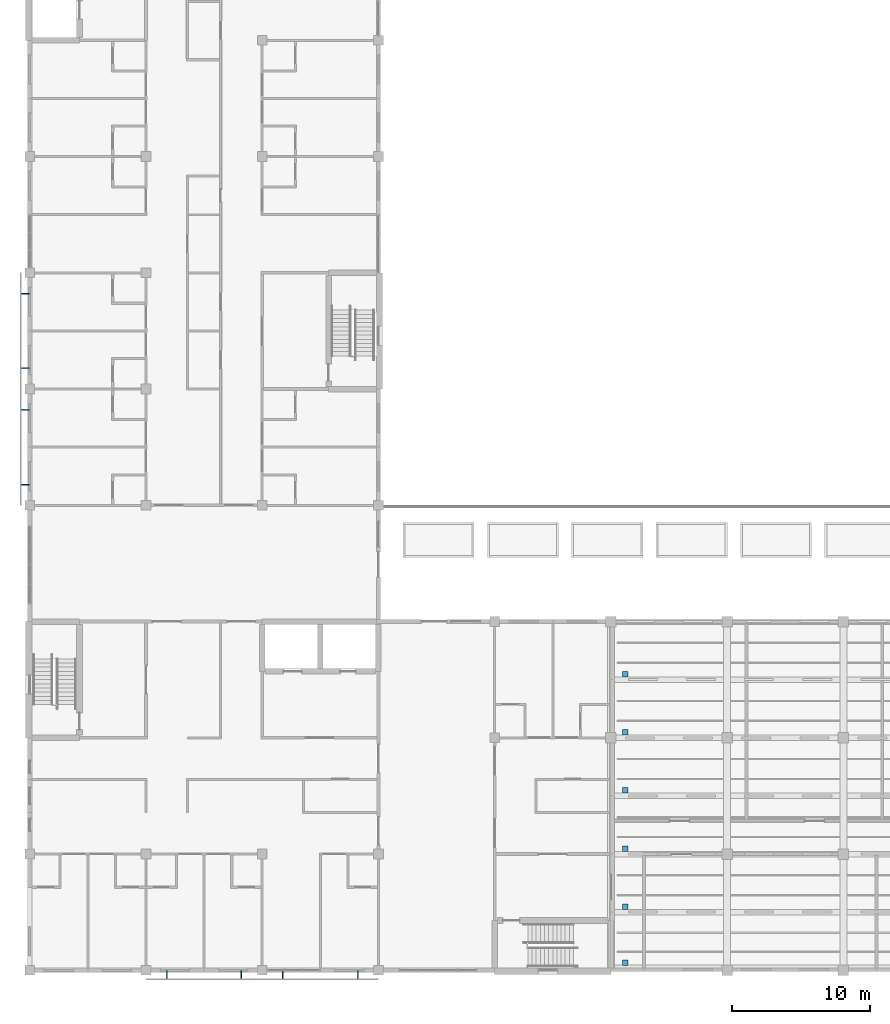
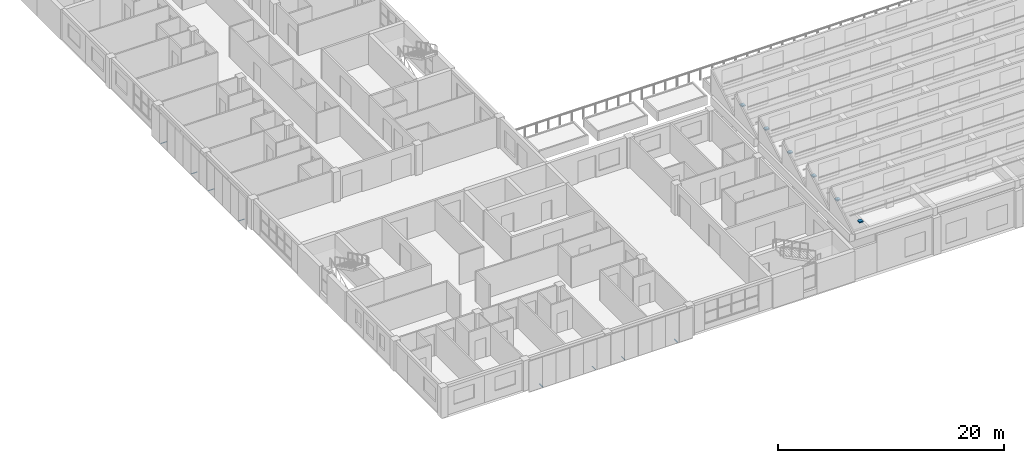
# One storey, part 49 of 61: 14 discrete accessories.
"""IFC4 building model written with IfcOpenShell, lengths in metres."""

from ifc_helpers import new_model, si_unit, direction, frame, origin, origin_2d, place, context, subcontext, project, spatial, rectangle, hollow_rectangle, extrude, material, material_profile, profile_set, type_object, element, save


model = new_model("IFC4")

# Units and contexts
model_context = context("Model", 3, precision=1e-05, world=origin(), true_north=direction((0.0, 1.0)))
body_context = subcontext(model_context, "Body", "Model", "MODEL_VIEW")
ifc_project = project(units=[si_unit("LENGTHUNIT", "METRE"), si_unit("AREAUNIT", "SQUARE_METRE"), si_unit("VOLUMEUNIT", "CUBIC_METRE"), si_unit("PLANEANGLEUNIT", "RADIAN"), si_unit("MASSUNIT", "GRAM", prefix="KILO")], contexts=[model_context])

# Site, building, storey
site_placement = place(None, origin())
site = spatial("IfcSite", under=ifc_project, at=site_placement, CompositionType="ELEMENT")
building_placement = place(site_placement, origin())
building = spatial("IfcBuilding", under=site, at=building_placement, Name="Yavir Park General Hospital", CompositionType="ELEMENT")
storey_placement = place(building_placement, frame((0.0, 0.0, 15.300048828125)))
storey = spatial("IfcBuildingStorey", under=building, at=storey_placement, Name="L03", CompositionType="ELEMENT", Elevation=15.300048828125)

# Discrete accessories
ifc_material_1 = material(Name="Cast iron outlet with leaf guard")
discrete_accessory_type_1 = type_object("IfcDiscreteAccessoryType", Name="Roof outlet 400 x 400", PredefinedType="NOTDEFINED", material=ifc_material_1)
for number, where, z_axis, x_axis, name in (
    (1, (43.050048828125, 0.550048828125, 5.56884765625), (0.0, 0.0, 1.0), (1.0, 0.0, 0.0), "Roof outlet SAW-T01.1"),
    (2, (43.050048828125, 4.60009765625, 5.483154296875), (0.0, 0.0, 1.0), (1.0, 0.0, 0.0), "Roof outlet SAW-T02.1"),
    (3, (43.050048828125, 8.800048828125, 5.483154296875), (0.0, 0.0, 1.0), (1.0, 0.0, 0.0), "Roof outlet SAW-T03.1"),
    (4, (43.050048828125, 13.0, 5.483154296875), (0.0, 0.0, 1.0), (1.0, 0.0, 0.0), "Roof outlet SAW-T04.1"),
    (5, (43.050048828125, 17.199951171875, 5.483154296875), (0.0, 0.0, 1.0), (1.0, 0.0, 0.0), "Roof outlet SAW-T05.1"),
    (6, (43.050048828125, 21.39990234375, 5.483154296875), (0.0, 0.0, 1.0), (1.0, 0.0, 0.0), "Roof outlet SAW-T06.1"),
):
    element("IfcDiscreteAccessory", number, at=place(storey_placement, frame(where, z_axis=z_axis, x_axis=x_axis)), inside=storey, type_object=discrete_accessory_type_1, Name=name, PredefinedType="NOTDEFINED", context=body_context, shape_type="SweptSolid", body=[
        extrude(rectangle(XDim=0.39990234375, YDim=0.39990234375, at=origin_2d()), origin(), (0.0, 0.0, 1.0), 0.1201171875),
    ])
ifc_material_2 = material(Name="Steel S355", Category="steel")
ifc_material_profile = material_profile(ifc_material_2, hollow_rectangle(XDim=0.10009765625, YDim=0.06005859375, WallThickness=0.006103515625, InnerFilletRadius=0.006103515625, OuterFilletRadius=0.011962890625, at=origin_2d()), Name="RHS60x100x6")
ifc_profile_set = profile_set([ifc_material_profile], Name="Steel S355")
discrete_accessory_type_2 = type_object("IfcDiscreteAccessoryType", Name="Screen bracket RHS 60 x 100", PredefinedType="BRACKET", material=ifc_profile_set)
for number, where, z_axis, x_axis, name in (
    (7, (9.89990234375, 0.0, -0.030029296875), (0.0, -1.0, 0.0), (1.0, 0.0, 0.0), "Screen bracket S2.1.1"),
    (8, (15.300048828125, 0.0, -0.030029296875), (0.0, -1.0, 0.0), (1.0, 0.0, 0.0), "Screen bracket S2.1.2"),
    (9, (18.300048828125, 0.0, -0.030029296875), (0.0, -1.0, 0.0), (1.0, 0.0, 0.0), "Screen bracket S3.1.1"),
    (10, (23.699951171875, 0.0, -0.030029296875), (0.0, -1.0, 0.0), (1.0, 0.0, 0.0), "Screen bracket S3.1.2"),
    (11, (0.0, 35.10009765625, -0.030029296875), (-1.0, 0.0, 0.0), (0.0, -1.0, 0.0), "Screen bracket W5.1.1"),
    (12, (0.0, 40.5, -0.030029296875), (-1.0, 0.0, 0.0), (0.0, -1.0, 0.0), "Screen bracket W5.1.2"),
    (13, (0.0, 43.5, -0.030029296875), (-1.0, 0.0, 0.0), (0.0, -1.0, 0.0), "Screen bracket W6.1.1"),
    (14, (0.0, 48.89990234375, -0.030029296875), (-1.0, 0.0, 0.0), (0.0, -1.0, 0.0), "Screen bracket W6.1.2"),
):
    element("IfcDiscreteAccessory", number, at=place(storey_placement, frame(where, z_axis=z_axis, x_axis=x_axis)), inside=storey, type_object=discrete_accessory_type_2, Name=name, PredefinedType="BRACKET", context=body_context, shape_type="SweptSolid", body=[
        extrude(hollow_rectangle(XDim=0.10009765625, YDim=0.06005859375, WallThickness=0.006103515625, InnerFilletRadius=0.006103515625, OuterFilletRadius=0.011962890625, at=origin_2d()), origin(), (0.0, 0.0, 1.0), 0.60009765625),
    ])

save(model, "model.ifc")
